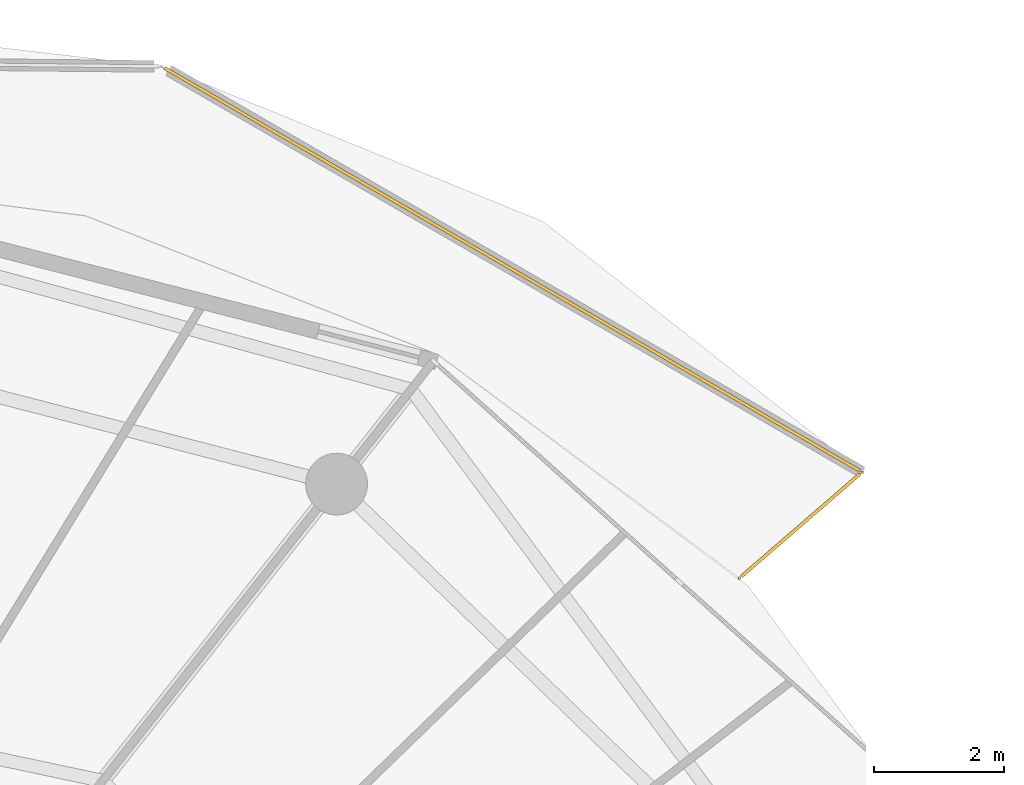
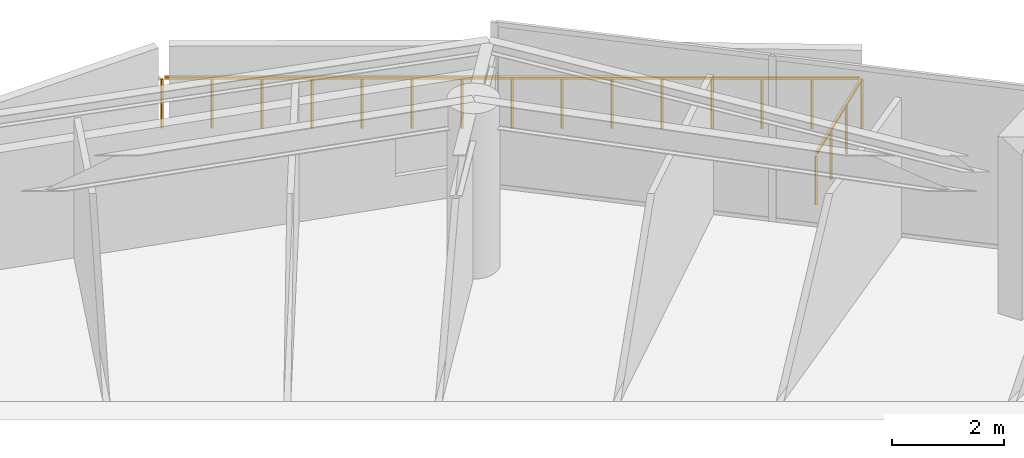
# One storey, part 31 of 31: 2 railings.
"""IFC4 building model written with IfcOpenShell, lengths in metres."""

import ifcopenshell
import ifcopenshell.guid

model = None  # the IFC model being written
_history = None  # IfcOwnerHistory: only IFC2X3 demands one
_inside = {}  # id of a spatial element -> (the spatial element, [elements in it])
_under = {}  # id of a project, library or spatial element -> (it, [spatial elements below it])
_declared = {}  # id of a project -> (the project, [libraries it declares])
_typed = {}  # id of a type object -> (the type object, [elements of that type])
_made_of = {}  # id of a material, layer set ... -> (it, [elements and type objects made of it])


def new_model(schema):
    """Start an empty IFC model of exactly this schema.

    Asked for "IFC4X3", IfcOpenShell would pick the latest addendum, in which some entities
    have other attributes; the version numbers below select the first issue.
    IFC2X3 requires an IfcOwnerHistory on every rooted entity: one is made here for all.
    """
    global model, _history
    if schema == "IFC4X3":
        model = ifcopenshell.file(schema_version=(4, 3, 0, 0))
    else:
        model = ifcopenshell.file(schema=schema)
    _inside.clear()
    _under.clear()
    _declared.clear()
    _typed.clear()
    _made_of.clear()
    _history = None
    if model.schema == "IFC2X3":
        org = make("IfcOrganization", Name="unknown")
        user = make(
            "IfcPersonAndOrganization",
            ThePerson=make("IfcPerson", FamilyName="unknown"),
            TheOrganization=org,
        )
        app = make(
            "IfcApplication",
            ApplicationDeveloper=org,
            Version="unknown",
            ApplicationFullName="unknown",
            ApplicationIdentifier="unknown",
        )
        _history = make(
            "IfcOwnerHistory",
            OwningUser=user,
            OwningApplication=app,
            ChangeAction="ADDED",
            CreationDate=0,
        )
    return model


def make(cls, **values):
    """One entity of the class cls with the attributes given. An attribute that is None is left unset."""
    return model.create_entity(
        cls, **{name: value for name, value in values.items() if value is not None}
    )


def rooted(cls, **values):
    """An entity with a GlobalId (a new one), such as an element, a storey or a relation."""
    return make(cls, GlobalId=ifcopenshell.guid.new(), OwnerHistory=_history, **values)


def si_unit(unit_type, name, prefix=None):
    """IfcSIUnit, for example si_unit("LENGTHUNIT", "METRE", prefix="MILLI")."""
    return make("IfcSIUnit", UnitType=unit_type, Prefix=prefix, Name=name)


def assignment(units):
    """IfcUnitAssignment: the units of a project."""
    return None if units is None else make("IfcUnitAssignment", Units=units)


def point(xyz):
    """IfcCartesianPoint."""
    return None if xyz is None else make("IfcCartesianPoint", Coordinates=xyz)


def direction(xyz):
    """IfcDirection."""
    return None if xyz is None else make("IfcDirection", DirectionRatios=xyz)


def frame(location, z_axis=None, x_axis=None):
    """IfcAxis2Placement3D, a coordinate frame: its origin and axes. An axis left out is left unset."""
    return make(
        "IfcAxis2Placement3D",
        Location=point(location),
        Axis=direction(z_axis),
        RefDirection=direction(x_axis),
    )


def frame_2d(location, x_axis=None):
    """IfcAxis2Placement2D, a coordinate frame in the plane: its origin and x axis."""
    return make(
        "IfcAxis2Placement2D", Location=point(location), RefDirection=direction(x_axis)
    )


def origin():
    """The frame at (0, 0, 0) with its axes left unset."""
    return frame((0.0, 0.0, 0.0))


def origin_2d():
    """The frame at (0, 0) in the plane with its x axis left unset."""
    return frame_2d((0.0, 0.0))


def place(relative_to, where):
    """IfcLocalPlacement: puts the frame where relative to a parent placement (None: the world)."""
    return make(
        "IfcLocalPlacement", PlacementRelTo=relative_to, RelativePlacement=where
    )


def context(
    kind, dimensions, precision=None, world=None, true_north=None, identifier=None
):
    """IfcGeometricRepresentationContext, for example the 3D "Model" context."""
    return make(
        "IfcGeometricRepresentationContext",
        ContextIdentifier=identifier,
        ContextType=kind,
        CoordinateSpaceDimension=dimensions,
        Precision=precision,
        WorldCoordinateSystem=world,
        TrueNorth=true_north,
    )


def subcontext(parent, identifier, kind, view, scale=None):
    """IfcGeometricRepresentationSubContext, for example "Body" below "Model"."""
    return make(
        "IfcGeometricRepresentationSubContext",
        ContextIdentifier=identifier,
        ContextType=kind,
        ParentContext=parent,
        TargetScale=scale,
        TargetView=view,
    )


def project(units=None, contexts=None):
    """IfcProject with its units and contexts."""
    return rooted(
        "IfcProject",
        Name="project",
        RepresentationContexts=contexts,
        UnitsInContext=assignment(units),
    )


def spatial(cls, under=None, at=None, **own):
    """A site, building, storey or space (cls), placed at a placement, below another one or the project."""
    s = rooted(cls, ObjectPlacement=at, **own)
    if under is not None:
        _under.setdefault(under.id(), (under, []))[1].append(s)
    return s


def profile(cls, at=None, kind="AREA", **sizes):
    """A parametric profile (cls). Its sizes go by their IFC names, for example OverallWidth=200.0."""
    return make(cls, ProfileType=kind, Position=at, **sizes)


def rectangle(**sizes):
    """IfcRectangleProfileDef."""
    return profile("IfcRectangleProfileDef", **sizes)


def extrude(swept, where, along, depth):
    """IfcExtrudedAreaSolid: the profile swept, set in the frame where, extruded along a direction by depth."""
    return make(
        "IfcExtrudedAreaSolid",
        SweptArea=swept,
        Position=where,
        ExtrudedDirection=direction(along),
        Depth=depth,
    )


def shape(context_of_items, identifier, shape_type, items):
    """IfcShapeRepresentation: the items that make up one representation, for example the "Body"."""
    return make(
        "IfcShapeRepresentation",
        ContextOfItems=context_of_items,
        RepresentationIdentifier=identifier,
        RepresentationType=shape_type,
        Items=items,
    )


def material(Name=None, Category=None):
    """IfcMaterial."""
    return make("IfcMaterial", Name=Name, Category=Category)


def made_of(thing, what):
    """Note that an element or type object is made of a material, layer set ...; save() writes the relation."""
    if what is not None:
        _made_of.setdefault(what.id(), (what, []))[1].append(thing)
    return thing


def type_object(cls, material=None, **own):
    """A type object (cls), such as IfcWallType, which elements share."""
    return made_of(rooted(cls, **own), material)


def element(
    cls,
    number,
    at=None,
    inside=None,
    cuts=None,
    type_object=None,
    material=None,
    context=None,
    identifier="Body",
    shape_type=None,
    held_by="IfcProductDefinitionShape",
    body=None,
    shapes=None,
    **own,
):
    """One element of the class cls, such as IfcWall. Its Tag is "e" and its number.

    at: its placement. inside: the storey or other place that contains it. cuts: it is an
    opening in that element (IfcRelVoidsElement). A single representation is given by context,
    identifier, shape_type and body (its items); several are given by shapes. held_by: the class
    of the entity that holds the representations. save() writes the other relations.
    """
    e = rooted(cls, Tag="e%d" % number, ObjectPlacement=at, **own)
    if body is not None:
        shapes = [shape(context, identifier, shape_type, body)]
    if shapes is not None:
        e.Representation = make(held_by, Representations=shapes)
    if inside is not None:
        _inside.setdefault(inside.id(), (inside, []))[1].append(e)
    if cuts is not None:
        rooted(
            "IfcRelVoidsElement", RelatingBuildingElement=cuts, RelatedOpeningElement=e
        )
    if type_object is not None:
        _typed.setdefault(type_object.id(), (type_object, []))[1].append(e)
    return made_of(e, material)


def aggregate(whole, parts):
    """IfcRelAggregates: a whole, such as a stair, and the parts it consists of."""
    return rooted("IfcRelAggregates", RelatingObject=whole, RelatedObjects=parts)


def save(model, path):
    """Write the relations noted so far, then the file.

    IfcRelAggregates (storeys below a building ...), IfcRelContainedInSpatialStructure (elements
    in a storey), IfcRelDefinesByType, IfcRelAssociatesMaterial and IfcRelDeclares: one each for
    every whole, place, type object, material and project.
    """
    for whole, parts in _under.values():
        aggregate(whole, parts)
    for where, things in _inside.values():
        rooted(
            "IfcRelContainedInSpatialStructure",
            RelatedElements=things,
            RelatingStructure=where,
        )
    for kind, things in _typed.values():
        rooted("IfcRelDefinesByType", RelatedObjects=things, RelatingType=kind)
    for what, things in _made_of.values():
        rooted("IfcRelAssociatesMaterial", RelatedObjects=things, RelatingMaterial=what)
    for by, libraries in _declared.values():
        rooted("IfcRelDeclares", RelatingContext=by, RelatedDefinitions=libraries)
    model.write(path)


model = new_model("IFC4")

# Units and contexts
model_context = context("Model", 3, precision=1e-05, world=origin(), true_north=direction((0.0, 1.0)))
body_context = subcontext(model_context, "Body", "Model", "MODEL_VIEW")
ifc_project = project(units=[si_unit("LENGTHUNIT", "METRE"), si_unit("AREAUNIT", "SQUARE_METRE"), si_unit("VOLUMEUNIT", "CUBIC_METRE"), si_unit("PLANEANGLEUNIT", "RADIAN"), si_unit("MASSUNIT", "GRAM", prefix="KILO")], contexts=[model_context])

# Site, building, storey
site_placement = place(None, origin())
site = spatial("IfcSite", under=ifc_project, at=site_placement, CompositionType="ELEMENT")
building_placement = place(site_placement, origin())
building = spatial("IfcBuilding", under=site, at=building_placement, Name="Kazma Halo Residences", CompositionType="ELEMENT")
storey_placement = place(building_placement, frame((0.0, 0.0, 259.800048828125)))
storey = spatial("IfcBuildingStorey", under=building, at=storey_placement, Name="L65", CompositionType="ELEMENT", Elevation=259.800048828125)

# Railings
ifc_material = material(Name="Aluminium AW-6063 T6 Brushed Cap Rail", Category="aluminium")
railing_type = type_object("IfcRailingType", Name="RLG-BAL-CAP-1120", PredefinedType="BALUSTRADE", material=ifc_material)
railing_1_placement = place(storey_placement, frame((71.0400390625, 61.9228515625, 0.0)))
element("IfcRailing", 1, at=railing_1_placement, inside=storey, type_object=railing_type, Name="L65 NE wave balcony guard 1", PredefinedType="BALUSTRADE", context=body_context, shape_type="SweptSolid", body=[
    extrude(rectangle(XDim=0.050048828125, YDim=0.050048828125, at=origin_2d()), frame((0.0322265625, 0.02783203125, 1.09521484375), z_axis=(0.75642466345, 0.65408082721, 0.0), x_axis=(-0.65408082721, 0.75642466345, 0.0)), (0.0, 0.0, 1.0), 2.41015625),
    extrude(rectangle(XDim=0.0400390625, YDim=0.0400390625, at=origin_2d()), origin(), (0.0, 0.0, 1.0), 1.05810546875),
    extrude(rectangle(XDim=0.0400390625, YDim=0.0400390625, at=origin_2d()), frame((0.629150390625, 0.5439453125, 0.0)), (0.0, 0.0, 1.0), 1.05810546875),
    extrude(rectangle(XDim=0.0400390625, YDim=0.0400390625, at=origin_2d()), frame((1.25830078125, 1.088134765625, 0.0)), (0.0, 0.0, 1.0), 1.05810546875),
    extrude(rectangle(XDim=0.0400390625, YDim=0.0400390625, at=origin_2d()), frame((1.887451171875, 1.632080078125, 0.0)), (0.0, 0.0, 1.0), 1.05810546875),
])
railing_2_placement = place(storey_placement, frame((72.927490234375, 63.554931640625, 0.0)))
element("IfcRailing", 2, at=railing_2_placement, inside=storey, type_object=railing_type, Name="L65 NE wave balcony guard 2", PredefinedType="BALUSTRADE", context=body_context, shape_type="SweptSolid", body=[
    extrude(rectangle(XDim=0.050048828125, YDim=0.050048828125, at=origin_2d()), frame((-0.036865234375, 0.021240234375, 1.09521484375), z_axis=(-0.8652560804, 0.501330146042, 0.0), x_axis=(-0.501330146042, -0.8652560804, 0.0)), (0.0, 0.0, 1.0), 12.35791015625),
    extrude(rectangle(XDim=0.0400390625, YDim=0.0400390625, at=origin_2d()), origin(), (0.0, 0.0, 1.0), 1.05810546875),
    extrude(rectangle(XDim=0.0400390625, YDim=0.0400390625, at=origin_2d()), frame((-0.76904296875, 0.445556640625, 0.0)), (0.0, 0.0, 1.0), 1.05810546875),
    extrude(rectangle(XDim=0.0400390625, YDim=0.0400390625, at=origin_2d()), frame((-1.5380859375, 0.89111328125, 0.0)), (0.0, 0.0, 1.0), 1.05810546875),
    extrude(rectangle(XDim=0.0400390625, YDim=0.0400390625, at=origin_2d()), frame((-2.30712890625, 1.336669921875, 0.0)), (0.0, 0.0, 1.0), 1.05810546875),
    extrude(rectangle(XDim=0.0400390625, YDim=0.0400390625, at=origin_2d()), frame((-3.076171875, 1.7822265625, 0.0)), (0.0, 0.0, 1.0), 1.05810546875),
    extrude(rectangle(XDim=0.0400390625, YDim=0.0400390625, at=origin_2d()), frame((-3.84521484375, 2.227783203125, 0.0)), (0.0, 0.0, 1.0), 1.05810546875),
    extrude(rectangle(XDim=0.0400390625, YDim=0.0400390625, at=origin_2d()), frame((-4.6142578125, 2.67333984375, 0.0)), (0.0, 0.0, 1.0), 1.05810546875),
    extrude(rectangle(XDim=0.0400390625, YDim=0.0400390625, at=origin_2d()), frame((-5.38330078125, 3.119140625, 0.0)), (0.0, 0.0, 1.0), 1.05810546875),
    extrude(rectangle(XDim=0.0400390625, YDim=0.0400390625, at=origin_2d()), frame((-6.152099609375, 3.564697265625, 0.0)), (0.0, 0.0, 1.0), 1.05810546875),
    extrude(rectangle(XDim=0.0400390625, YDim=0.0400390625, at=origin_2d()), frame((-6.921142578125, 4.01025390625, 0.0)), (0.0, 0.0, 1.0), 1.05810546875),
    extrude(rectangle(XDim=0.0400390625, YDim=0.0400390625, at=origin_2d()), frame((-7.690185546875, 4.455810546875, 0.0)), (0.0, 0.0, 1.0), 1.05810546875),
    extrude(rectangle(XDim=0.0400390625, YDim=0.0400390625, at=origin_2d()), frame((-8.459228515625, 4.9013671875, 0.0)), (0.0, 0.0, 1.0), 1.05810546875),
    extrude(rectangle(XDim=0.0400390625, YDim=0.0400390625, at=origin_2d()), frame((-9.228271484375, 5.346923828125, 0.0)), (0.0, 0.0, 1.0), 1.05810546875),
    extrude(rectangle(XDim=0.0400390625, YDim=0.0400390625, at=origin_2d()), frame((-9.997314453125, 5.79248046875, 0.0)), (0.0, 0.0, 1.0), 1.05810546875),
    extrude(rectangle(XDim=0.0400390625, YDim=0.0400390625, at=origin_2d()), frame((-10.766357421875, 6.238037109375, 0.0)), (0.0, 0.0, 1.0), 1.05810546875),
])

save(model, "model.ifc")
